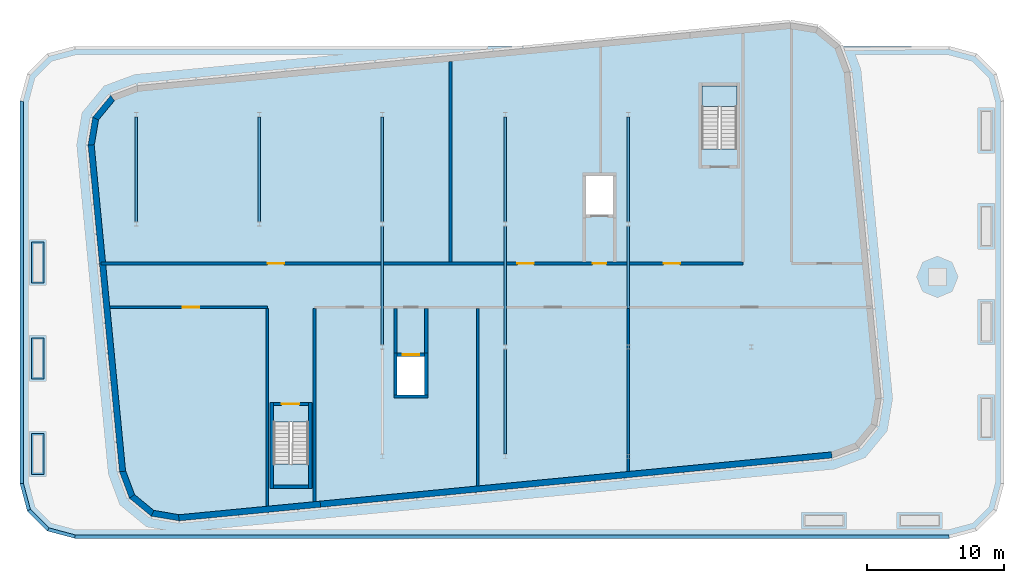
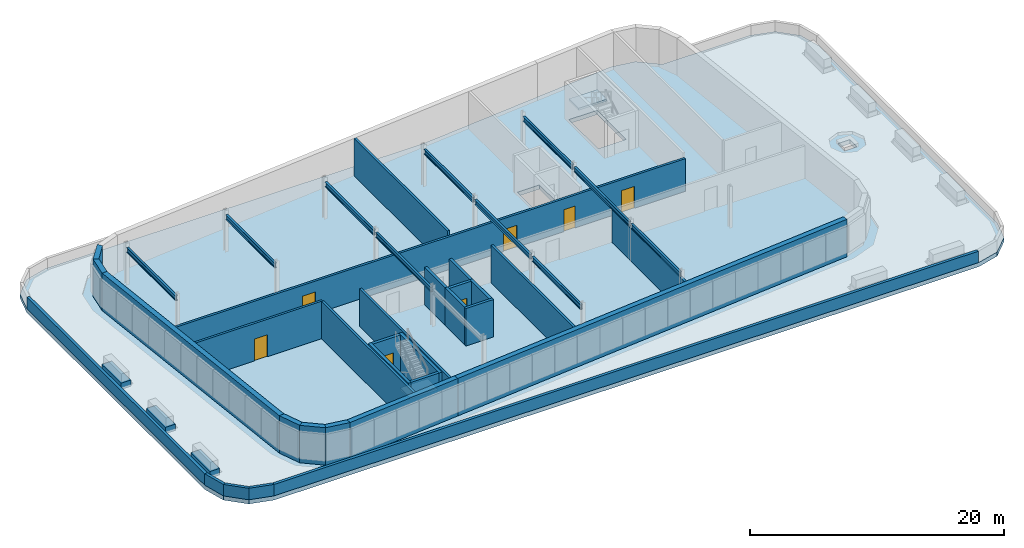
# One storey, part 3 of 7: 33 walls, 10 beams, 7 doors, 3 slabs, 7 openings, 2 elements without a shape of their own.
"""IFC4 building model written with IfcOpenShell, lengths in metres."""

import ifcopenshell
import ifcopenshell.guid

model = None  # the IFC model being written
_history = None  # IfcOwnerHistory: only IFC2X3 demands one
_inside = {}  # id of a spatial element -> (the spatial element, [elements in it])
_under = {}  # id of a project, library or spatial element -> (it, [spatial elements below it])
_declared = {}  # id of a project -> (the project, [libraries it declares])
_typed = {}  # id of a type object -> (the type object, [elements of that type])
_made_of = {}  # id of a material, layer set ... -> (it, [elements and type objects made of it])


def new_model(schema):
    """Start an empty IFC model of exactly this schema.

    Asked for "IFC4X3", IfcOpenShell would pick the latest addendum, in which some entities
    have other attributes; the version numbers below select the first issue.
    IFC2X3 requires an IfcOwnerHistory on every rooted entity: one is made here for all.
    """
    global model, _history
    if schema == "IFC4X3":
        model = ifcopenshell.file(schema_version=(4, 3, 0, 0))
    else:
        model = ifcopenshell.file(schema=schema)
    _inside.clear()
    _under.clear()
    _declared.clear()
    _typed.clear()
    _made_of.clear()
    _history = None
    if model.schema == "IFC2X3":
        org = make("IfcOrganization", Name="unknown")
        user = make(
            "IfcPersonAndOrganization",
            ThePerson=make("IfcPerson", FamilyName="unknown"),
            TheOrganization=org,
        )
        app = make(
            "IfcApplication",
            ApplicationDeveloper=org,
            Version="unknown",
            ApplicationFullName="unknown",
            ApplicationIdentifier="unknown",
        )
        _history = make(
            "IfcOwnerHistory",
            OwningUser=user,
            OwningApplication=app,
            ChangeAction="ADDED",
            CreationDate=0,
        )
    return model


def make(cls, **values):
    """One entity of the class cls with the attributes given. An attribute that is None is left unset."""
    return model.create_entity(
        cls, **{name: value for name, value in values.items() if value is not None}
    )


def rooted(cls, **values):
    """An entity with a GlobalId (a new one), such as an element, a storey or a relation."""
    return make(cls, GlobalId=ifcopenshell.guid.new(), OwnerHistory=_history, **values)


def si_unit(unit_type, name, prefix=None):
    """IfcSIUnit, for example si_unit("LENGTHUNIT", "METRE", prefix="MILLI")."""
    return make("IfcSIUnit", UnitType=unit_type, Prefix=prefix, Name=name)


def assignment(units):
    """IfcUnitAssignment: the units of a project."""
    return None if units is None else make("IfcUnitAssignment", Units=units)


def point(xyz):
    """IfcCartesianPoint."""
    return None if xyz is None else make("IfcCartesianPoint", Coordinates=xyz)


def direction(xyz):
    """IfcDirection."""
    return None if xyz is None else make("IfcDirection", DirectionRatios=xyz)


def frame(location, z_axis=None, x_axis=None):
    """IfcAxis2Placement3D, a coordinate frame: its origin and axes. An axis left out is left unset."""
    return make(
        "IfcAxis2Placement3D",
        Location=point(location),
        Axis=direction(z_axis),
        RefDirection=direction(x_axis),
    )


def frame_2d(location, x_axis=None):
    """IfcAxis2Placement2D, a coordinate frame in the plane: its origin and x axis."""
    return make(
        "IfcAxis2Placement2D", Location=point(location), RefDirection=direction(x_axis)
    )


def origin():
    """The frame at (0, 0, 0) with its axes left unset."""
    return frame((0.0, 0.0, 0.0))


def origin_2d():
    """The frame at (0, 0) in the plane with its x axis left unset."""
    return frame_2d((0.0, 0.0))


def place(relative_to, where):
    """IfcLocalPlacement: puts the frame where relative to a parent placement (None: the world)."""
    return make(
        "IfcLocalPlacement", PlacementRelTo=relative_to, RelativePlacement=where
    )


def context(
    kind, dimensions, precision=None, world=None, true_north=None, identifier=None
):
    """IfcGeometricRepresentationContext, for example the 3D "Model" context."""
    return make(
        "IfcGeometricRepresentationContext",
        ContextIdentifier=identifier,
        ContextType=kind,
        CoordinateSpaceDimension=dimensions,
        Precision=precision,
        WorldCoordinateSystem=world,
        TrueNorth=true_north,
    )


def subcontext(parent, identifier, kind, view, scale=None):
    """IfcGeometricRepresentationSubContext, for example "Body" below "Model"."""
    return make(
        "IfcGeometricRepresentationSubContext",
        ContextIdentifier=identifier,
        ContextType=kind,
        ParentContext=parent,
        TargetScale=scale,
        TargetView=view,
    )


def project(units=None, contexts=None):
    """IfcProject with its units and contexts."""
    return rooted(
        "IfcProject",
        Name="project",
        RepresentationContexts=contexts,
        UnitsInContext=assignment(units),
    )


def spatial(cls, under=None, at=None, **own):
    """A site, building, storey or space (cls), placed at a placement, below another one or the project."""
    s = rooted(cls, ObjectPlacement=at, **own)
    if under is not None:
        _under.setdefault(under.id(), (under, []))[1].append(s)
    return s


def polyline(points):
    """IfcPolyline through the points."""
    return make("IfcPolyline", Points=[point(p) for p in points])


def profile(cls, at=None, kind="AREA", **sizes):
    """A parametric profile (cls). Its sizes go by their IFC names, for example OverallWidth=200.0."""
    return make(cls, ProfileType=kind, Position=at, **sizes)


def rectangle(**sizes):
    """IfcRectangleProfileDef."""
    return profile("IfcRectangleProfileDef", **sizes)


def i_section(**sizes):
    """IfcIShapeProfileDef."""
    return profile("IfcIShapeProfileDef", **sizes)


def outline(outer, holes=None, kind="AREA"):
    """IfcArbitraryClosedProfileDef: a profile drawn as a closed curve; with holes, ...WithVoids."""
    if holes is None:
        return make("IfcArbitraryClosedProfileDef", ProfileType=kind, OuterCurve=outer)
    return make(
        "IfcArbitraryProfileDefWithVoids",
        ProfileType=kind,
        OuterCurve=outer,
        InnerCurves=holes,
    )


def extrude(swept, where, along, depth):
    """IfcExtrudedAreaSolid: the profile swept, set in the frame where, extruded along a direction by depth."""
    return make(
        "IfcExtrudedAreaSolid",
        SweptArea=swept,
        Position=where,
        ExtrudedDirection=direction(along),
        Depth=depth,
    )


def shape(context_of_items, identifier, shape_type, items):
    """IfcShapeRepresentation: the items that make up one representation, for example the "Body"."""
    return make(
        "IfcShapeRepresentation",
        ContextOfItems=context_of_items,
        RepresentationIdentifier=identifier,
        RepresentationType=shape_type,
        Items=items,
    )


def material(Name=None, Category=None):
    """IfcMaterial."""
    return make("IfcMaterial", Name=Name, Category=Category)


def layer(
    of_material, thickness, ventilated=None, Name=None, Category=None, Priority=None
):
    """IfcMaterialLayer: one layer of a wall or slab, of a material (None: an air gap)."""
    return make(
        "IfcMaterialLayer",
        Material=of_material,
        LayerThickness=thickness,
        IsVentilated=ventilated,
        Name=Name,
        Category=Category,
        Priority=Priority,
    )


def layer_set(layers, Name=None):
    """IfcMaterialLayerSet."""
    return make("IfcMaterialLayerSet", MaterialLayers=layers, LayerSetName=Name)


def material_profile(
    of_material, cross_section, Name=None, Category=None, Priority=None
):
    """IfcMaterialProfile: a cross section and its material."""
    return make(
        "IfcMaterialProfile",
        Name=Name,
        Material=of_material,
        Profile=cross_section,
        Priority=Priority,
        Category=Category,
    )


def profile_set(profiles, Name=None, composite=None):
    """IfcMaterialProfileSet."""
    return make(
        "IfcMaterialProfileSet",
        Name=Name,
        MaterialProfiles=profiles,
        CompositeProfile=composite,
    )


def made_of(thing, what):
    """Note that an element or type object is made of a material, layer set ...; save() writes the relation."""
    if what is not None:
        _made_of.setdefault(what.id(), (what, []))[1].append(thing)
    return thing


def type_object(cls, material=None, **own):
    """A type object (cls), such as IfcWallType, which elements share."""
    return made_of(rooted(cls, **own), material)


def element(
    cls,
    number,
    at=None,
    inside=None,
    cuts=None,
    type_object=None,
    material=None,
    context=None,
    identifier="Body",
    shape_type=None,
    held_by="IfcProductDefinitionShape",
    body=None,
    shapes=None,
    **own,
):
    """One element of the class cls, such as IfcWall. Its Tag is "e" and its number.

    at: its placement. inside: the storey or other place that contains it. cuts: it is an
    opening in that element (IfcRelVoidsElement). A single representation is given by context,
    identifier, shape_type and body (its items); several are given by shapes. held_by: the class
    of the entity that holds the representations. save() writes the other relations.
    """
    e = rooted(cls, Tag="e%d" % number, ObjectPlacement=at, **own)
    if body is not None:
        shapes = [shape(context, identifier, shape_type, body)]
    if shapes is not None:
        e.Representation = make(held_by, Representations=shapes)
    if inside is not None:
        _inside.setdefault(inside.id(), (inside, []))[1].append(e)
    if cuts is not None:
        rooted(
            "IfcRelVoidsElement", RelatingBuildingElement=cuts, RelatedOpeningElement=e
        )
    if type_object is not None:
        _typed.setdefault(type_object.id(), (type_object, []))[1].append(e)
    return made_of(e, material)


def fill(opening, filler):
    """IfcRelFillsElement: the door or window that sits in an opening."""
    return rooted(
        "IfcRelFillsElement",
        RelatingOpeningElement=opening,
        RelatedBuildingElement=filler,
    )


def aggregate(whole, parts):
    """IfcRelAggregates: a whole, such as a stair, and the parts it consists of."""
    return rooted("IfcRelAggregates", RelatingObject=whole, RelatedObjects=parts)


def save(model, path):
    """Write the relations noted so far, then the file.

    IfcRelAggregates (storeys below a building ...), IfcRelContainedInSpatialStructure (elements
    in a storey), IfcRelDefinesByType, IfcRelAssociatesMaterial and IfcRelDeclares: one each for
    every whole, place, type object, material and project.
    """
    for whole, parts in _under.values():
        aggregate(whole, parts)
    for where, things in _inside.values():
        rooted(
            "IfcRelContainedInSpatialStructure",
            RelatedElements=things,
            RelatingStructure=where,
        )
    for kind, things in _typed.values():
        rooted("IfcRelDefinesByType", RelatedObjects=things, RelatingType=kind)
    for what, things in _made_of.values():
        rooted("IfcRelAssociatesMaterial", RelatedObjects=things, RelatingMaterial=what)
    for by, libraries in _declared.values():
        rooted("IfcRelDeclares", RelatingContext=by, RelatedDefinitions=libraries)
    model.write(path)


model = new_model("IFC4")

# Units and contexts
model_context = context("Model", 3, precision=1e-05, world=origin(), true_north=direction((0.0, 1.0)))
body_context = subcontext(model_context, "Body", "Model", "MODEL_VIEW")
ifc_project = project(units=[si_unit("LENGTHUNIT", "METRE"), si_unit("AREAUNIT", "SQUARE_METRE"), si_unit("VOLUMEUNIT", "CUBIC_METRE"), si_unit("PLANEANGLEUNIT", "RADIAN"), si_unit("MASSUNIT", "GRAM", prefix="KILO")], contexts=[model_context])

# Site, building, storey
site_placement = place(None, origin())
site = spatial("IfcSite", under=ifc_project, at=site_placement, CompositionType="ELEMENT")
building_placement = place(site_placement, origin())
building = spatial("IfcBuilding", under=site, at=building_placement, Name="Kajstack Hotel Tower", CompositionType="ELEMENT")
storey_placement = place(building_placement, frame((0.0, 0.0, 317.800048828125)))
storey = spatial("IfcBuildingStorey", under=building, at=storey_placement, Name="L80", CompositionType="ELEMENT", Elevation=317.800048828125)

# Beams
ifc_material_1 = material(Name="Steel S355J2", Category="steel")
ifc_material_profile = material_profile(ifc_material_1, i_section(OverallWidth=0.18994140625, OverallDepth=0.449951171875, WebThickness=0.009521484375, FlangeThickness=0.0146484375, FilletRadius=0.02099609375, at=origin_2d()), Name="IPE 450")
ifc_profile_set = profile_set([ifc_material_profile], Name="Steel S355J2")
beam_type = type_object("IfcBeamType", Name="CF2 IPE 450", PredefinedType="BEAM", material=ifc_profile_set)
for number, where, z_axis, x_axis, name in (
    (1, (-27.0, 4.659912109375, 3.375), (0.0, 1.0, 0.0), (-1.0, 0.0, 0.0), "S-beam-c-L80--27p0-1"),
    (2, (-18.0, 4.659912109375, 3.375), (0.0, 1.0, 0.0), (-1.0, 0.0, 0.0), "S-beam-c-L80--18p0-1"),
):
    element("IfcBeam", number, at=place(storey_placement, frame(where, z_axis=z_axis, x_axis=x_axis)), inside=storey, type_object=beam_type, Name=name, PredefinedType="BEAM", context=body_context, shape_type="SweptSolid", body=[
        extrude(i_section(OverallWidth=0.18994140625, OverallDepth=0.449951171875, WebThickness=0.009521484375, FlangeThickness=0.0146484375, FilletRadius=0.02099609375, at=origin_2d()), origin(), (0.0, 0.0, 1.0), 7.68017578125),
    ])
beam_1_placement = place(storey_placement, frame((-9.0, -4.340087890625, 3.375), z_axis=(0.0, 1.0, 0.0), x_axis=(-1.0, 0.0, 0.0)))
element("IfcBeam", 3, at=beam_1_placement, inside=storey, type_object=beam_type, Name="S-beam-c-L80--9p0-2", PredefinedType="BEAM", context=body_context, shape_type="SweptSolid", body=[
    extrude(i_section(OverallWidth=0.18994140625, OverallDepth=0.449951171875, WebThickness=0.009521484375, FlangeThickness=0.0146484375, FilletRadius=0.02099609375, at=origin_2d()), origin(), (0.0, 0.0, 1.0), 8.68017578125),
])
for number, where, z_axis, x_axis, name in (
    (4, (-9.0, 4.659912109375, 3.375), (0.0, 1.0, 0.0), (-1.0, 0.0, 0.0), "S-beam-c-L80--9p0-3"),
    (5, (0.0, -12.340087890625, 3.375), (0.0, 1.0, 0.0), (-1.0, 0.0, 0.0), "S-beam-c-L80-+0p0-1"),
):
    element("IfcBeam", number, at=place(storey_placement, frame(where, z_axis=z_axis, x_axis=x_axis)), inside=storey, type_object=beam_type, Name=name, PredefinedType="BEAM", context=body_context, shape_type="SweptSolid", body=[
        extrude(i_section(OverallWidth=0.18994140625, OverallDepth=0.449951171875, WebThickness=0.009521484375, FlangeThickness=0.0146484375, FilletRadius=0.02099609375, at=origin_2d()), origin(), (0.0, 0.0, 1.0), 7.68017578125),
    ])
beam_2_placement = place(storey_placement, frame((0.0, -4.340087890625, 3.375), z_axis=(0.0, 1.0, 0.0), x_axis=(-1.0, 0.0, 0.0)))
element("IfcBeam", 6, at=beam_2_placement, inside=storey, type_object=beam_type, Name="S-beam-c-L80-+0p0-2", PredefinedType="BEAM", context=body_context, shape_type="SweptSolid", body=[
    extrude(i_section(OverallWidth=0.18994140625, OverallDepth=0.449951171875, WebThickness=0.009521484375, FlangeThickness=0.0146484375, FilletRadius=0.02099609375, at=origin_2d()), origin(), (0.0, 0.0, 1.0), 8.68017578125),
])
for number, where, z_axis, x_axis, name in (
    (7, (0.0, 4.659912109375, 3.375), (0.0, 1.0, 0.0), (-1.0, 0.0, 0.0), "S-beam-c-L80-+0p0-3"),
    (8, (9.0, -12.340087890625, 3.375), (0.0, 1.0, 0.0), (-1.0, 0.0, 0.0), "S-beam-c-L80-+9p0-1"),
):
    element("IfcBeam", number, at=place(storey_placement, frame(where, z_axis=z_axis, x_axis=x_axis)), inside=storey, type_object=beam_type, Name=name, PredefinedType="BEAM", context=body_context, shape_type="SweptSolid", body=[
        extrude(i_section(OverallWidth=0.18994140625, OverallDepth=0.449951171875, WebThickness=0.009521484375, FlangeThickness=0.0146484375, FilletRadius=0.02099609375, at=origin_2d()), origin(), (0.0, 0.0, 1.0), 7.68017578125),
    ])
beam_3_placement = place(storey_placement, frame((9.0, -4.340087890625, 3.375), z_axis=(0.0, 1.0, 0.0), x_axis=(-1.0, 0.0, 0.0)))
element("IfcBeam", 9, at=beam_3_placement, inside=storey, type_object=beam_type, Name="S-beam-c-L80-+9p0-2", PredefinedType="BEAM", context=body_context, shape_type="SweptSolid", body=[
    extrude(i_section(OverallWidth=0.18994140625, OverallDepth=0.449951171875, WebThickness=0.009521484375, FlangeThickness=0.0146484375, FilletRadius=0.02099609375, at=origin_2d()), origin(), (0.0, 0.0, 1.0), 8.68017578125),
])
beam_4_placement = place(storey_placement, frame((9.0, 4.659912109375, 3.375), z_axis=(0.0, 1.0, 0.0), x_axis=(-1.0, 0.0, 0.0)))
element("IfcBeam", 10, at=beam_4_placement, inside=storey, type_object=beam_type, Name="S-beam-c-L80-+9p0-3", PredefinedType="BEAM", context=body_context, shape_type="SweptSolid", body=[
    extrude(i_section(OverallWidth=0.18994140625, OverallDepth=0.449951171875, WebThickness=0.009521484375, FlangeThickness=0.0146484375, FilletRadius=0.02099609375, at=origin_2d()), origin(), (0.0, 0.0, 1.0), 7.68017578125),
])

# Slab
ifc_material_2 = material(Name="Concrete C40/50", Category="concrete")
ifc_layer_1 = layer(ifc_material_2, 0.39990234375)
ifc_layer_set_1 = layer_set([ifc_layer_1], Name="RC slab 400 C40/50 crown")
slab_type_1 = type_object("IfcSlabType", Name="RC slab 400 C40/50 crown", PredefinedType="FLOOR", material=ifc_layer_set_1)
slab_1_placement = place(storey_placement, frame((0.0, 0.0, -0.400146484375)))
element("IfcSlab", 11, at=slab_1_placement, inside=storey, type_object=slab_type_1, Name="S-slab-L80", PredefinedType="FLOOR", context=body_context, shape_type="SweptSolid", body=[
    extrude(outline(polyline([(32.5, 17.5), (34.5, 16.964111328125), (35.964111328125, 15.5), (36.5, 13.5), (36.5, -14.5), (35.964111328125, -16.5), (34.5, -17.964111328125), (32.5, -18.5), (-31.5, -18.5), (-33.5, -17.964111328125), (-34.964111328125, -16.5), (-35.5, -14.5), (-35.5, 13.5), (-34.964111328125, 15.5), (-33.5, 16.964111328125), (-31.5, 17.5), (2.924560546875, 17.5), (20.85595703125, 19.2265625), (22.898193359375, 18.885009765625), (24.495849609375, 17.56787109375), (24.521240234375, 17.5), (32.5, 17.5)]), holes=[polyline([(-7.89990234375, -8.0), (-5.89990234375, -8.0), (-5.89990234375, -5.199951171875), (-7.89990234375, -5.199951171875), (-7.89990234375, -8.0)]), polyline([(7.89990234375, 8.0), (5.89990234375, 8.0), (5.89990234375, 5.199951171875), (7.89990234375, 5.199951171875), (7.89990234375, 8.0)]), polyline([(-16.949951171875, -14.60009765625), (-14.39990234375, -14.60009765625), (-14.39990234375, -10.0), (-16.949951171875, -10.0), (-16.949951171875, -14.60009765625)]), polyline([(16.949951171875, 14.60009765625), (14.39990234375, 14.60009765625), (14.39990234375, 10.0), (16.949951171875, 10.0), (16.949951171875, 14.60009765625)]), polyline([(31.074951171875, 0.074951171875), (31.074951171875, 1.175048828125), (32.175048828125, 1.175048828125), (32.175048828125, 0.074951171875), (31.074951171875, 0.074951171875)])]), origin(), (0.0, 0.0, 1.0), 0.400146484375),
])

# Stair, slab
stair_type = type_object("IfcStairType", Name="Exit stair 1200", PredefinedType="HALF_TURN_STAIR", material=ifc_material_2)
stair_1_placement = place(storey_placement, origin())
stair_1 = element("IfcStair", 12, at=stair_1_placement, inside=storey, type_object=stair_type, Name="L80 stair W2", PredefinedType="HALF_TURN_STAIR")
ifc_layer_2 = layer(ifc_material_2, 0.199951171875)
ifc_layer_set_2 = layer_set([ifc_layer_2], Name="Stair landing 200")
slab_type_2 = type_object("IfcSlabType", Name="Stair landing 200", PredefinedType="LANDING", material=ifc_layer_set_2)
slab_2_placement = place(storey_placement, frame((0.0, 0.0, 1.800048828125)))
slab_2 = element("IfcSlab", 13, at=slab_2_placement, type_object=slab_type_2, Name="W2 landing 1", PredefinedType="LANDING", context=body_context, shape_type="SweptSolid", body=[
    extrude(outline(polyline([(-16.949951171875, -13.080078125), (-16.949951171875, -14.60009765625), (-14.39990234375, -14.60009765625), (-14.39990234375, -13.080078125), (-16.949951171875, -13.080078125)])), origin(), (0.0, 0.0, 1.0), 0.199951171875),
])
aggregate(stair_1, [slab_2])

stair_2_placement = place(storey_placement, origin())
stair_2 = element("IfcStair", 14, at=stair_2_placement, inside=storey, type_object=stair_type, Name="L80 stair E2", PredefinedType="HALF_TURN_STAIR")
slab_3_placement = place(storey_placement, frame((0.0, 0.0, 1.800048828125)))
slab_3 = element("IfcSlab", 15, at=slab_3_placement, type_object=slab_type_2, Name="E2 landing 1", PredefinedType="LANDING", context=body_context, shape_type="SweptSolid", body=[
    extrude(outline(polyline([(16.949951171875, 13.080078125), (16.949951171875, 14.60009765625), (14.39990234375, 14.60009765625), (14.39990234375, 13.080078125), (16.949951171875, 13.080078125)])), origin(), (0.0, 0.0, 1.0), 0.199951171875),
])
aggregate(stair_2, [slab_3])

# Walls
ifc_layer_3 = layer(ifc_material_2, 0.449951171875)
ifc_layer_set_3 = layer_set([ifc_layer_3], Name="EW-CORE")
wall_type_1 = type_object("IfcWallType", Name="EW-CORE", PredefinedType="SOLIDWALL", material=ifc_layer_set_3)
wall_1_placement = place(storey_placement, frame((-23.877685546875, -17.002685546875, 0.0), z_axis=(0.0, 0.0, 1.0), x_axis=(0.995395045647, 0.095857723225, 0.0)))
element("IfcWall", 16, at=wall_1_placement, inside=storey, type_object=wall_type_1, Name="E-wall-L80-04-00", PredefinedType="SOLIDWALL", context=body_context, shape_type="SweptSolid", body=[
    extrude(rectangle(XDim=10.404052734375, YDim=0.449951171875, at=frame_2d((5.2021484375, 0.0))), origin(), (0.0, 0.0, 1.0), 3.599853515625),
])
ifc_material_3 = material(Name="Zinc-clad block masonry", Category="masonry")
ifc_layer_4 = layer(ifc_material_3, 0.449951171875)
ifc_layer_set_4 = layer_set([ifc_layer_4], Name="EW-ZINC")
wall_type_2 = type_object("IfcWallType", Name="EW-ZINC", PredefinedType="SOLIDWALL", material=ifc_layer_set_4)
wall_2_placement = place(storey_placement, frame((-30.297119140625, 10.28271484375, 0.0), z_axis=(0.0, 0.0, 1.0), x_axis=(0.095844987077, -0.995396272071, 0.0)))
element("IfcWall", 17, at=wall_2_placement, inside=storey, type_object=wall_type_2, Name="E-wall-L80-00-00", PredefinedType="SOLIDWALL", context=body_context, shape_type="SweptSolid", body=[
    extrude(rectangle(XDim=24.000244140625, YDim=0.449951171875, at=frame_2d((12.0, 0.0))), origin(), (0.0, 0.0, 1.0), 3.599853515625),
])
wall_3_placement = place(storey_placement, frame((-28.01025390625, -13.549560546875, 0.0), z_axis=(0.0, 0.0, 1.0), x_axis=(0.350192909346, -0.936677599948, 0.0)))
element("IfcWall", 18, at=wall_3_placement, inside=storey, type_object=wall_type_2, Name="E-wall-L80-01-00", PredefinedType="SOLIDWALL", context=body_context, shape_type="SweptSolid", body=[
    extrude(outline(polyline([(0.0, -0.224853515625), (2.07080078125, -0.224853515625), (1.9501953125, 0.22509765625), (0.12060546875, 0.22509765625), (0.0, -0.224853515625)])), origin(), (0.0, 0.0, 1.0), 3.599853515625),
])
for number, where, z_axis, x_axis, name in (
    (19, (-27.352783203125, -15.394287109375, 0.0), (0.0, 0.0, 1.0), (0.771698747161, -0.635988241739, 0.0), "E-wall-L80-02-00"),
    (20, (-25.861083984375, -16.6630859375, 0.0), (0.0, 0.0, 1.0), (0.986301353518, -0.164953448126, 0.0), "E-wall-L80-03-00"),
):
    element("IfcWall", number, at=place(storey_placement, frame(where, z_axis=z_axis, x_axis=x_axis)), inside=storey, type_object=wall_type_2, Name=name, PredefinedType="SOLIDWALL", context=body_context, shape_type="SweptSolid", body=[
        extrude(outline(polyline([(0.0, -0.224853515625), (2.070556640625, -0.22509765625), (1.949951171875, 0.224853515625), (0.12060546875, 0.22509765625), (0.0, -0.224853515625)])), origin(), (0.0, 0.0, 1.0), 3.599853515625),
    ])
wall_4_placement = place(storey_placement, frame((-13.521484375, -16.00537109375, 0.0), z_axis=(0.0, 0.0, 1.0), x_axis=(0.995396551785, 0.095842082069, 0.0)))
element("IfcWall", 21, at=wall_4_placement, inside=storey, type_object=wall_type_2, Name="E-wall-L80-04-01", PredefinedType="SOLIDWALL", context=body_context, shape_type="SweptSolid", body=[
    extrude(rectangle(XDim=37.595947265625, YDim=0.449951171875, at=frame_2d((18.7978515625, 0.0))), origin(), (0.0, 0.0, 1.0), 3.599853515625),
])
wall_5_placement = place(storey_placement, frame((-28.68896484375, 13.7578125, 0.0), z_axis=(0.0, 0.0, 1.0), x_axis=(-0.636046112757, -0.771651049663, 0.0)))
element("IfcWall", 22, at=wall_5_placement, inside=storey, type_object=wall_type_2, Name="E-wall-L80-14-00", PredefinedType="SOLIDWALL", context=body_context, shape_type="SweptSolid", body=[
    extrude(outline(polyline([(0.0, -0.224853515625), (2.070556640625, -0.224853515625), (1.949951171875, 0.22509765625), (0.12060546875, 0.22509765625), (0.0, -0.224853515625)])), origin(), (0.0, 0.0, 1.0), 3.599853515625),
])
wall_6_placement = place(storey_placement, frame((-29.95751953125, 12.26611328125, 0.0), z_axis=(0.0, 0.0, 1.0), x_axis=(-0.165068144653, -0.986282164302, 0.0)))
element("IfcWall", 23, at=wall_6_placement, inside=storey, type_object=wall_type_2, Name="E-wall-L80-15-00", PredefinedType="SOLIDWALL", context=body_context, shape_type="SweptSolid", body=[
    extrude(outline(polyline([(0.0, -0.22509765625), (2.070556640625, -0.22509765625), (1.949951171875, 0.22509765625), (0.12060546875, 0.224853515625), (0.0, -0.22509765625)])), origin(), (0.0, 0.0, 1.0), 3.599853515625),
])
ifc_layer_5 = layer(ifc_material_3, 0.25)
ifc_layer_set_5 = layer_set([ifc_layer_5], Name="PARAPET-ZINC")
wall_type_3 = type_object("IfcWallType", Name="PARAPET-ZINC", PredefinedType="PARAPET", material=ifc_layer_set_5)
wall_7_placement = place(storey_placement, origin())
element("IfcWall", 24, at=wall_7_placement, inside=storey, type_object=wall_type_3, Name="Parapet L80-01-01-09", PredefinedType="PARAPET", context=body_context, shape_type="SweptSolid", body=[
    extrude(outline(polyline([(32.5, -18.5), (32.467041015625, -18.25), (-31.467041015625, -18.25), (-31.5, -18.5), (32.5, -18.5)])), origin(), (0.0, 0.0, 1.0), 1.099853515625),
])
wall_8_placement = place(storey_placement, origin())
element("IfcWall", 25, at=wall_8_placement, inside=storey, type_object=wall_type_3, Name="Parapet L80-01-01-10", PredefinedType="PARAPET", context=body_context, shape_type="SweptSolid", body=[
    extrude(outline(polyline([(-31.5, -18.5), (-31.467041015625, -18.25), (-33.37060546875, -17.739990234375), (-33.5, -17.964111328125), (-31.5, -18.5)])), origin(), (0.0, 0.0, 1.0), 1.099853515625),
])
wall_9_placement = place(storey_placement, origin())
element("IfcWall", 26, at=wall_9_placement, inside=storey, type_object=wall_type_3, Name="Parapet L80-01-01-11", PredefinedType="PARAPET", context=body_context, shape_type="SweptSolid", body=[
    extrude(outline(polyline([(-33.5, -17.964111328125), (-33.37060546875, -17.739990234375), (-34.739990234375, -16.37060546875), (-34.964111328125, -16.5), (-33.5, -17.964111328125)])), origin(), (0.0, 0.0, 1.0), 1.099853515625),
])
wall_10_placement = place(storey_placement, origin())
element("IfcWall", 27, at=wall_10_placement, inside=storey, type_object=wall_type_3, Name="Parapet L80-01-01-12", PredefinedType="PARAPET", context=body_context, shape_type="SweptSolid", body=[
    extrude(outline(polyline([(-34.964111328125, -16.5), (-34.739990234375, -16.37060546875), (-35.25, -14.467041015625), (-35.5, -14.5), (-34.964111328125, -16.5)])), origin(), (0.0, 0.0, 1.0), 1.099853515625),
])
wall_11_placement = place(storey_placement, origin())
element("IfcWall", 28, at=wall_11_placement, inside=storey, type_object=wall_type_3, Name="Parapet L80-01-01-13", PredefinedType="PARAPET", context=body_context, shape_type="SweptSolid", body=[
    extrude(outline(polyline([(-35.5, -14.5), (-35.25, -14.467041015625), (-35.25, 13.467041015625), (-35.5, 13.5), (-35.5, -14.5)])), origin(), (0.0, 0.0, 1.0), 1.099853515625),
])
ifc_material_4 = material(Name="Concrete C30/37", Category="concrete")
ifc_layer_6 = layer(ifc_material_4, 0.89990234375)
ifc_layer_set_6 = layer_set([ifc_layer_6], Name="PLANTER-WALL")
wall_type_4 = type_object("IfcWallType", Name="PLANTER-WALL", PredefinedType="SOLIDWALL", material=ifc_layer_set_6)
for number, where, z_axis, x_axis, name in (
    (29, (-34.199951171875, -13.828857421875, 0.0), (0.0, 0.0, 1.0), (0.0, 1.0, 0.0), "PLANTER L80-01-01"),
    (30, (-34.199951171875, -6.828857421875, 0.0), (0.0, 0.0, 1.0), (0.0, 1.0, 0.0), "PLANTER L80-01-02"),
    (31, (-34.199951171875, 0.171142578125, 0.0), (0.0, 0.0, 1.0), (0.0, 1.0, 0.0), "PLANTER L80-01-03"),
):
    element("IfcWall", number, at=place(storey_placement, frame(where, z_axis=z_axis, x_axis=x_axis)), inside=storey, type_object=wall_type_4, Name=name, PredefinedType="SOLIDWALL", context=body_context, shape_type="SweptSolid", body=[
        extrude(rectangle(XDim=3.0, YDim=0.89990234375, at=frame_2d((1.5, 0.0))), origin(), (0.0, 0.0, 1.0), 0.599853515625),
    ])
ifc_material_5 = material(Name="Gypsum board on steel studs, mineral wool", Category="steel")
ifc_layer_7 = layer(ifc_material_5, 0.199951171875)
ifc_layer_set_7 = layer_set([ifc_layer_7], Name="Public partition 200")
wall_type_5 = type_object("IfcWallType", Name="Public partition 200", PredefinedType="PARTITIONING", material=ifc_layer_set_7)
wall_12_placement = place(storey_placement, frame((-17.39990234375, -16.15283203125, 0.0), z_axis=(0.0, 0.0, 1.0), x_axis=(0.0, 1.0, 0.0)))
element("IfcWall", 32, at=wall_12_placement, inside=storey, type_object=wall_type_5, Name="Partition X0", PredefinedType="PARTITIONING", context=body_context, shape_type="SweptSolid", body=[
    extrude(rectangle(XDim=14.452880859375, YDim=0.199951171875, at=frame_2d((7.2265625, 0.0))), origin(), (0.0, 0.0, 1.0), 3.599853515625),
])
wall_13_placement = place(storey_placement, frame((-13.949951171875, -15.820556640625, 0.0), z_axis=(0.0, 0.0, 1.0), x_axis=(0.0, 1.0, 0.0)))
element("IfcWall", 33, at=wall_13_placement, inside=storey, type_object=wall_type_5, Name="Partition X1", PredefinedType="PARTITIONING", context=body_context, shape_type="SweptSolid", body=[
    extrude(rectangle(XDim=14.12060546875, YDim=0.199951171875, at=frame_2d((7.060302734375, 0.0))), origin(), (0.0, 0.0, 1.0), 3.599853515625),
])
wall_14_placement = place(storey_placement, frame((-2.0, -14.669921875, 0.0), z_axis=(0.0, 0.0, 1.0), x_axis=(0.0, 1.0, 0.0)))
element("IfcWall", 34, at=wall_14_placement, inside=storey, type_object=wall_type_5, Name="Partition X2", PredefinedType="PARTITIONING", context=body_context, shape_type="SweptSolid", body=[
    extrude(rectangle(XDim=12.969970703125, YDim=0.199951171875, at=frame_2d((6.48486328125, 0.0))), origin(), (0.0, 0.0, 1.0), 3.599853515625),
])
wall_15_placement = place(storey_placement, frame((9.0, -13.61083984375, 0.0), z_axis=(0.0, 0.0, 1.0), x_axis=(0.0, 1.0, 0.0)))
element("IfcWall", 35, at=wall_15_placement, inside=storey, type_object=wall_type_5, Name="Partition X3", PredefinedType="PARTITIONING", context=body_context, shape_type="SweptSolid", body=[
    extrude(rectangle(XDim=11.910888671875, YDim=0.199951171875, at=frame_2d((5.95556640625, 0.0))), origin(), (0.0, 0.0, 1.0), 3.14990234375),
])

# Wall, opening, door
wall_16_placement = place(storey_placement, frame((-28.927001953125, -1.60009765625, 0.0), z_axis=(0.0, 0.0, 1.0), x_axis=(1.0, 0.0, 0.0)))
wall_16 = element("IfcWall", 36, at=wall_16_placement, inside=storey, type_object=wall_type_5, Name="Partition FW0", PredefinedType="PARTITIONING", context=body_context, shape_type="SweptSolid", body=[
    extrude(rectangle(XDim=11.527099609375, YDim=0.199951171875, at=frame_2d((5.763671875, 0.0))), origin(), (0.0, 0.0, 1.0), 3.599853515625),
])
opening_1_placement = place(wall_16_placement, frame((5.326904296875, 0.0, 0.0)))
opening_1 = element("IfcOpeningElement", 37, at=opening_1_placement, cuts=wall_16, Name="Opening 80P01", PredefinedType="OPENING", context=body_context, shape_type="SweptSolid", body=[
    extrude(rectangle(XDim=1.199951171875, YDim=2.10009765625, at=frame_2d((0.60009765625, 1.050048828125))), frame((0.0, 0.10986328125, 0.0), z_axis=(0.0, -1.0, 0.0), x_axis=(1.0, 0.0, 0.0)), (0.0, 0.0, 1.0), 0.219970703125),
])
ifc_material_6 = material(Name="Timber leaf, fire-rated", Category="wood")
door_type_1 = type_object("IfcDoorType", Name="Public corridor door 1200", OperationType="SINGLE_SWING_LEFT", PredefinedType="DOOR", material=ifc_material_6)
door_1_placement = place(opening_1_placement, origin())
door_1 = element("IfcDoor", 38, at=door_1_placement, inside=storey, type_object=door_type_1, Name="Door 80P01", OperationType="SINGLE_SWING_RIGHT", OverallHeight=2.10009765625, OverallWidth=1.199951171875, PredefinedType="DOOR", context=body_context, shape_type="SweptSolid", body=[
    extrude(rectangle(XDim=1.199951171875, YDim=2.10009765625, at=frame_2d((0.60009765625, 1.050048828125))), frame((0.0, 0.02490234375, 0.0), z_axis=(0.0, -1.0, 0.0), x_axis=(1.0, 0.0, 0.0)), (0.0, 0.0, 1.0), 0.050048828125),
])
fill(opening_1, door_1)

# Wall
wall_17_placement = place(storey_placement, frame((-4.0, 1.699951171875, 0.0), z_axis=(0.0, 0.0, 1.0), x_axis=(0.0, 1.0, 0.0)))
element("IfcWall", 39, at=wall_17_placement, inside=storey, type_object=wall_type_5, Name="Partition SX3", PredefinedType="PARTITIONING", context=body_context, shape_type="SweptSolid", body=[
    extrude(rectangle(XDim=14.68115234375, YDim=0.199951171875, at=frame_2d((7.340576171875, 0.0))), origin(), (0.0, 0.0, 1.0), 3.599853515625),
])

# Wall, openings, doors
wall_18_placement = place(storey_placement, frame((-29.5625, 1.60009765625, 0.0), z_axis=(0.0, 0.0, 1.0), x_axis=(1.0, 0.0, 0.0)))
wall_18 = element("IfcWall", 40, at=wall_18_placement, inside=storey, type_object=wall_type_5, Name="Partition SFW1", PredefinedType="PARTITIONING", context=body_context, shape_type="SweptSolid", body=[
    extrude(rectangle(XDim=46.96240234375, YDim=0.199951171875, at=frame_2d((23.481201171875, 0.0))), origin(), (0.0, 0.0, 1.0), 3.14990234375),
])
opening_2_placement = place(wall_18_placement, frame((41.16259765625, 0.0, 0.0)))
opening_2 = element("IfcOpeningElement", 41, at=opening_2_placement, cuts=wall_18, Name="Opening 80P06", PredefinedType="OPENING", context=body_context, shape_type="SweptSolid", body=[
    extrude(rectangle(XDim=1.199951171875, YDim=2.10009765625, at=frame_2d((0.60009765625, 1.050048828125))), frame((0.0, 0.10986328125, 0.0), z_axis=(0.0, -1.0, 0.0), x_axis=(1.0, 0.0, 0.0)), (0.0, 0.0, 1.0), 0.219970703125),
])
opening_3_placement = place(wall_18_placement, frame((30.46240234375, 0.0, 0.0)))
opening_3 = element("IfcOpeningElement", 42, at=opening_3_placement, cuts=wall_18, Name="Opening 80P07", PredefinedType="OPENING", context=body_context, shape_type="SweptSolid", body=[
    extrude(rectangle(XDim=1.199951171875, YDim=2.10009765625, at=frame_2d((0.60009765625, 1.050048828125))), frame((0.0, 0.10986328125, 0.0), z_axis=(0.0, -1.0, 0.0), x_axis=(1.0, 0.0, 0.0)), (0.0, 0.0, 1.0), 0.219970703125),
])
opening_4_placement = place(wall_18_placement, frame((12.181396484375, 0.0, 0.0)))
opening_4 = element("IfcOpeningElement", 43, at=opening_4_placement, cuts=wall_18, Name="Opening 80P08", PredefinedType="OPENING", context=body_context, shape_type="SweptSolid", body=[
    extrude(rectangle(XDim=1.199951171875, YDim=2.10009765625, at=frame_2d((0.60009765625, 1.050048828125))), frame((0.0, 0.10986328125, 0.0), z_axis=(0.0, -1.0, 0.0), x_axis=(1.0, 0.0, 0.0)), (0.0, 0.0, 1.0), 0.219970703125),
])
opening_5_placement = place(wall_18_placement, frame((35.96240234375, 0.0, 0.0)))
opening_5 = element("IfcOpeningElement", 44, at=opening_5_placement, cuts=wall_18, Name="Opening 80P10", PredefinedType="OPENING", context=body_context, shape_type="SweptSolid", body=[
    extrude(rectangle(XDim=1.0, YDim=2.10009765625, at=frame_2d((0.5, 1.050048828125))), frame((0.0, 0.10986328125, 0.0), z_axis=(0.0, -1.0, 0.0), x_axis=(1.0, 0.0, 0.0)), (0.0, 0.0, 1.0), 0.219970703125),
])
door_2_placement = place(opening_2_placement, origin())
door_2 = element("IfcDoor", 45, at=door_2_placement, inside=storey, type_object=door_type_1, Name="Door 80P06", OperationType="SINGLE_SWING_LEFT", OverallHeight=2.10009765625, OverallWidth=1.199951171875, PredefinedType="DOOR", context=body_context, shape_type="SweptSolid", body=[
    extrude(rectangle(XDim=1.199951171875, YDim=2.10009765625, at=frame_2d((0.60009765625, 1.050048828125))), frame((0.0, 0.02490234375, 0.0), z_axis=(0.0, -1.0, 0.0), x_axis=(1.0, 0.0, 0.0)), (0.0, 0.0, 1.0), 0.050048828125),
])
fill(opening_2, door_2)
door_3_placement = place(opening_3_placement, origin())
door_3 = element("IfcDoor", 46, at=door_3_placement, inside=storey, type_object=door_type_1, Name="Door 80P07", OperationType="SINGLE_SWING_LEFT", OverallHeight=2.10009765625, OverallWidth=1.199951171875, PredefinedType="DOOR", context=body_context, shape_type="SweptSolid", body=[
    extrude(rectangle(XDim=1.199951171875, YDim=2.10009765625, at=frame_2d((0.60009765625, 1.050048828125))), frame((0.0, 0.02490234375, 0.0), z_axis=(0.0, -1.0, 0.0), x_axis=(1.0, 0.0, 0.0)), (0.0, 0.0, 1.0), 0.050048828125),
])
fill(opening_3, door_3)
door_4_placement = place(opening_4_placement, origin())
door_4 = element("IfcDoor", 47, at=door_4_placement, inside=storey, type_object=door_type_1, Name="Door 80P08", OperationType="SINGLE_SWING_LEFT", OverallHeight=2.10009765625, OverallWidth=1.199951171875, PredefinedType="DOOR", context=body_context, shape_type="SweptSolid", body=[
    extrude(rectangle(XDim=1.199951171875, YDim=2.10009765625, at=frame_2d((0.60009765625, 1.050048828125))), frame((0.0, 0.02490234375, 0.0), z_axis=(0.0, -1.0, 0.0), x_axis=(1.0, 0.0, 0.0)), (0.0, 0.0, 1.0), 0.050048828125),
])
fill(opening_4, door_4)
ifc_material_7 = material(Name="Timber leaf", Category="wood")
door_type_2 = type_object("IfcDoorType", Name="Public room door 1000", OperationType="SINGLE_SWING_LEFT", PredefinedType="DOOR", material=ifc_material_7)
door_5_placement = place(opening_5_placement, origin())
door_5 = element("IfcDoor", 48, at=door_5_placement, inside=storey, type_object=door_type_2, Name="Door 80P10", OperationType="SINGLE_SWING_LEFT", OverallHeight=2.10009765625, OverallWidth=1.0, PredefinedType="DOOR", context=body_context, shape_type="SweptSolid", body=[
    extrude(rectangle(XDim=1.0, YDim=2.10009765625, at=frame_2d((0.5, 1.050048828125))), frame((0.0, 0.02490234375, 0.0), z_axis=(0.0, -1.0, 0.0), x_axis=(1.0, 0.0, 0.0)), (0.0, 0.0, 1.0), 0.050048828125),
])
fill(opening_5, door_5)

# Walls
ifc_layer_8 = layer(ifc_material_5, 0.199951171875)
ifc_layer_set_8 = layer_set([ifc_layer_8], Name="Service partition 200")
wall_type_6 = type_object("IfcWallType", Name="Service partition 200", PredefinedType="PARTITIONING", material=ifc_layer_set_8)
for number, where, z_axis, x_axis, name in (
    (49, (-8.02490234375, -4.949951171875, 0.0), (0.0, 0.0, 1.0), (0.0, 1.0, 0.0), "Partition W CLLW"),
    (50, (-5.77490234375, -4.949951171875, 0.0), (0.0, 0.0, 1.0), (0.0, 1.0, 0.0), "Partition W CLLE"),
):
    element("IfcWall", number, at=place(storey_placement, frame(where, z_axis=z_axis, x_axis=x_axis)), inside=storey, type_object=wall_type_6, Name=name, PredefinedType="PARTITIONING", context=body_context, shape_type="SweptSolid", body=[
        extrude(rectangle(XDim=3.25, YDim=0.25, at=frame_2d((1.625, 0.0))), origin(), (0.0, 0.0, 1.0), 3.599853515625),
    ])
ifc_material_8 = material(Name="Concrete C50/60", Category="concrete")
ifc_layer_9 = layer(ifc_material_8, 0.25)
ifc_layer_set_9 = layer_set([ifc_layer_9], Name="Shaft wall 250")
wall_type_7 = type_object("IfcWallType", Name="Shaft wall 250", PredefinedType="SHEAR", material=ifc_layer_set_9)
wall_19_placement = place(storey_placement, frame((-8.14990234375, -8.125, 0.0), z_axis=(0.0, 0.0, 1.0), x_axis=(1.0, 0.0, 0.0)))
element("IfcWall", 51, at=wall_19_placement, inside=storey, type_object=wall_type_7, Name="Core wall W CLS", PredefinedType="SHEAR", context=body_context, shape_type="SweptSolid", body=[
    extrude(rectangle(XDim=2.5, YDim=0.25, at=frame_2d((1.25, 0.0))), origin(), (0.0, 0.0, 1.0), 3.599853515625),
])
for number, where, z_axis, x_axis, name in (
    (52, (-8.02490234375, -8.0, 0.0), (0.0, 0.0, 1.0), (0.0, 1.0, 0.0), "Core wall W CLW"),
    (53, (-5.77490234375, -8.0, 0.0), (0.0, 0.0, 1.0), (0.0, 1.0, 0.0), "Core wall W CLE"),
):
    element("IfcWall", number, at=place(storey_placement, frame(where, z_axis=z_axis, x_axis=x_axis)), inside=storey, type_object=wall_type_7, Name=name, PredefinedType="SHEAR", context=body_context, shape_type="SweptSolid", body=[
        extrude(rectangle(XDim=3.050048828125, YDim=0.25, at=frame_2d((1.52490234375, 0.0))), origin(), (0.0, 0.0, 1.0), 3.599853515625),
    ])

# Wall, opening, door
wall_20_placement = place(storey_placement, frame((-7.89990234375, -5.074951171875, 0.0), z_axis=(0.0, 0.0, 1.0), x_axis=(1.0, 0.0, 0.0)))
wall_20 = element("IfcWall", 54, at=wall_20_placement, inside=storey, type_object=wall_type_7, Name="Core wall W CLN", PredefinedType="SHEAR", context=body_context, shape_type="SweptSolid", body=[
    extrude(rectangle(XDim=2.0, YDim=0.25, at=frame_2d((1.0, 0.0))), origin(), (0.0, 0.0, 1.0), 3.599853515625),
])
opening_6_placement = place(wall_20_placement, frame((0.39990234375, 0.0, 0.0)))
opening_6 = element("IfcOpeningElement", 55, at=opening_6_placement, cuts=wall_20, Name="Opening LD-CL1", PredefinedType="OPENING", context=body_context, shape_type="SweptSolid", body=[
    extrude(rectangle(XDim=1.199951171875, YDim=2.10009765625, at=frame_2d((0.60009765625, 1.050048828125))), frame((0.0, 0.135009765625, 0.0), z_axis=(0.0, -1.0, 0.0), x_axis=(1.0, 0.0, 0.0)), (0.0, 0.0, 1.0), 0.27001953125),
])
ifc_material_9 = material(Name="Stainless steel", Category="steel")
door_type_3 = type_object("IfcDoorType", Name="Lift landing door 1200", OperationType="SLIDING_TO_LEFT", PredefinedType="DOOR", material=ifc_material_9)
door_6_placement = place(opening_6_placement, origin())
door_6 = element("IfcDoor", 56, at=door_6_placement, inside=storey, type_object=door_type_3, Name="Landing door CL1", OperationType="SLIDING_TO_LEFT", OverallHeight=2.10009765625, OverallWidth=1.199951171875, PredefinedType="DOOR", context=body_context, shape_type="SweptSolid", body=[
    extrude(rectangle(XDim=1.199951171875, YDim=2.10009765625, at=frame_2d((0.60009765625, 1.050048828125))), frame((0.0, 0.02490234375, 0.0), z_axis=(0.0, -1.0, 0.0), x_axis=(1.0, 0.0, 0.0)), (0.0, 0.0, 1.0), 0.050048828125),
])
fill(opening_6, door_6)

# Walls
ifc_layer_10 = layer(ifc_material_2, 0.25)
ifc_layer_set_10 = layer_set([ifc_layer_10], Name="Stair enclosure wall 250")
wall_type_8 = type_object("IfcWallType", Name="Stair enclosure wall 250", PredefinedType="SHEAR", material=ifc_layer_set_10)
for number, where, z_axis, x_axis, name in (
    (57, (-17.074951171875, -14.85009765625, 0.0), (0.0, 0.0, 1.0), (0.0, 1.0, 0.0), "Core wall W W2W"),
    (58, (-14.27490234375, -14.85009765625, 0.0), (0.0, 0.0, 1.0), (0.0, 1.0, 0.0), "Core wall W W2E"),
):
    element("IfcWall", number, at=place(storey_placement, frame(where, z_axis=z_axis, x_axis=x_axis)), inside=storey, type_object=wall_type_8, Name=name, PredefinedType="SHEAR", context=body_context, shape_type="SweptSolid", body=[
        extrude(rectangle(XDim=6.300048828125, YDim=0.25, at=frame_2d((3.14990234375, 0.0))), origin(), (0.0, 0.0, 1.0), 3.599853515625),
    ])
wall_21_placement = place(storey_placement, frame((-16.949951171875, -14.72509765625, 0.0), z_axis=(0.0, 0.0, 1.0), x_axis=(1.0, 0.0, 0.0)))
element("IfcWall", 59, at=wall_21_placement, inside=storey, type_object=wall_type_8, Name="Core wall W W2S", PredefinedType="SHEAR", context=body_context, shape_type="SweptSolid", body=[
    extrude(rectangle(XDim=2.550048828125, YDim=0.25, at=frame_2d((1.27490234375, 0.0))), origin(), (0.0, 0.0, 1.0), 3.599853515625),
])

# Wall, opening, door
wall_22_placement = place(storey_placement, frame((-16.949951171875, -8.675048828125, 0.0), z_axis=(0.0, 0.0, 1.0), x_axis=(1.0, 0.0, 0.0)))
wall_22 = element("IfcWall", 60, at=wall_22_placement, inside=storey, type_object=wall_type_8, Name="Core wall W W2N", PredefinedType="SHEAR", context=body_context, shape_type="SweptSolid", body=[
    extrude(rectangle(XDim=2.550048828125, YDim=0.25, at=frame_2d((1.27490234375, 0.0))), origin(), (0.0, 0.0, 1.0), 3.599853515625),
])
opening_7_placement = place(wall_22_placement, frame((0.60009765625, 0.0, 0.0)))
opening_7 = element("IfcOpeningElement", 61, at=opening_7_placement, cuts=wall_22, Name="Opening 80W02", PredefinedType="OPENING", context=body_context, shape_type="SweptSolid", body=[
    extrude(rectangle(XDim=1.300048828125, YDim=2.10009765625, at=frame_2d((0.64990234375, 1.050048828125))), frame((0.0, 0.135009765625, 0.0), z_axis=(0.0, -1.0, 0.0), x_axis=(1.0, 0.0, 0.0)), (0.0, 0.0, 1.0), 0.27001953125),
])
ifc_material_10 = material(Name="Steel leaf, fire-rated", Category="steel")
door_type_4 = type_object("IfcDoorType", Name="Stair door 1300", OperationType="SINGLE_SWING_LEFT", PredefinedType="DOOR", material=ifc_material_10)
door_7_placement = place(opening_7_placement, origin())
door_7 = element("IfcDoor", 62, at=door_7_placement, inside=storey, type_object=door_type_4, Name="Door 80W02", OperationType="SINGLE_SWING_RIGHT", OverallHeight=2.10009765625, OverallWidth=1.300048828125, PredefinedType="DOOR", context=body_context, shape_type="SweptSolid", body=[
    extrude(rectangle(XDim=1.300048828125, YDim=2.10009765625, at=frame_2d((0.64990234375, 1.050048828125))), frame((0.0, 0.02490234375, 0.0), z_axis=(0.0, -1.0, 0.0), x_axis=(1.0, 0.0, 0.0)), (0.0, 0.0, 1.0), 0.050048828125),
])
fill(opening_7, door_7)

save(model, "model.ifc")
